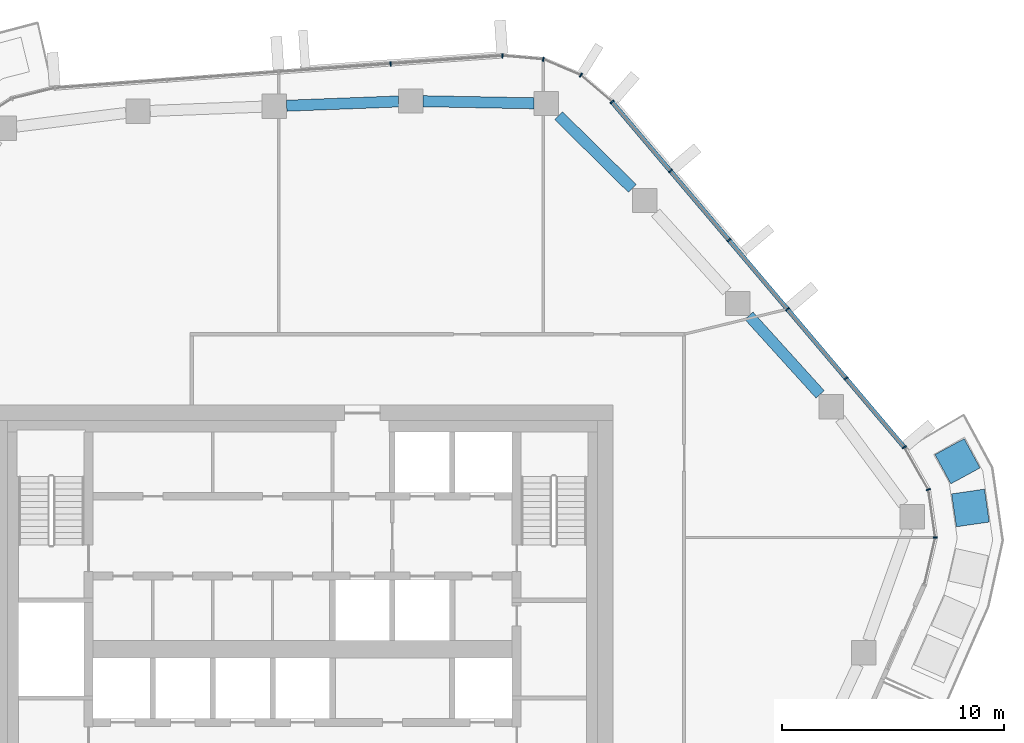
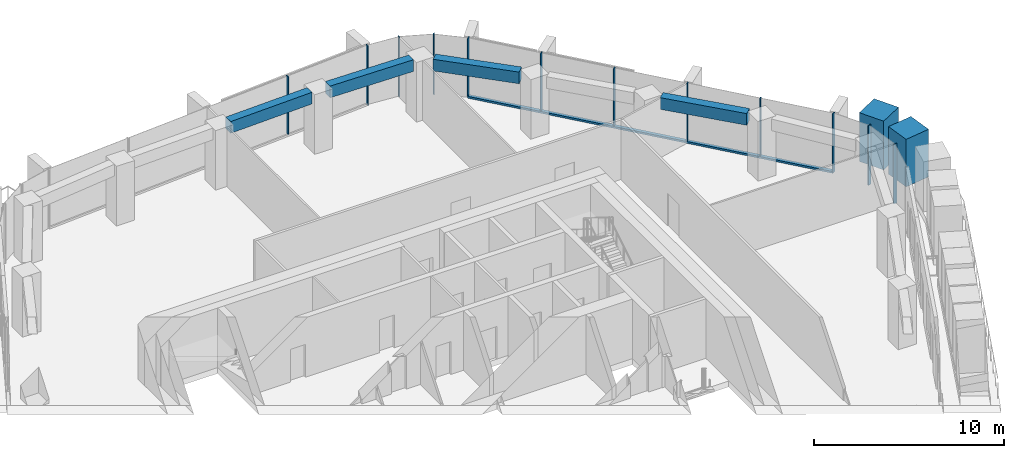
# One storey, part 9 of 21: 15 members, 4 beams, 4 elements without a shape of their own.
"""IFC4 building model written with IfcOpenShell, lengths in metres."""

from ifc_helpers import new_model, si_unit, direction, frame, origin, origin_2d, place, context, subcontext, project, spatial, rectangle, extrude, material, layer, layer_set, material_profile, profile_set, type_object, element, aggregate, save


model = new_model("IFC4")

# Units and contexts
model_context = context("Model", 3, precision=1e-05, world=origin(), true_north=direction((0.0, 1.0)))
body_context = subcontext(model_context, "Body", "Model", "MODEL_VIEW")
ifc_project = project(units=[si_unit("LENGTHUNIT", "METRE"), si_unit("AREAUNIT", "SQUARE_METRE"), si_unit("VOLUMEUNIT", "CUBIC_METRE"), si_unit("PLANEANGLEUNIT", "RADIAN"), si_unit("MASSUNIT", "GRAM", prefix="KILO")], contexts=[model_context])

# Site, building, storey
site_placement = place(None, origin())
site = spatial("IfcSite", under=ifc_project, at=site_placement, CompositionType="ELEMENT")
building_placement = place(site_placement, origin())
building = spatial("IfcBuilding", under=site, at=building_placement, Name="Dongbaek Canopy Tower", CompositionType="ELEMENT")
storey_placement = place(building_placement, frame((0.0, 0.0, 270.60009765625)))
storey = spatial("IfcBuildingStorey", under=building, at=storey_placement, Name="L57", CompositionType="ELEMENT", Elevation=270.60009765625)

# Curtain wall, members
ifc_material_1 = material(Name="Aluminium 6063-T6 pale anodised", Category="aluminium")
ifc_layer = layer(ifc_material_1, 0.199951171875)
ifc_layer_set = layer_set([ifc_layer], Name="CW-1 unitised tower curtain wall")
curtain_wall_type = type_object("IfcCurtainWallType", Name="CW-1 unitised tower curtain wall", PredefinedType="NOTDEFINED", material=ifc_layer_set)
curtain_wall_1_placement = place(storey_placement, origin())
curtain_wall_1 = element("IfcCurtainWall", 1, at=curtain_wall_1_placement, inside=storey, type_object=curtain_wall_type, Name="CW-1 curtain wall K0.1", PredefinedType="NOTDEFINED")
ifc_material_2 = material(Name="Aluminium 6063-T6 pale anodised", Category="aluminium")
ifc_material_profile_1 = material_profile(ifc_material_2, rectangle(XDim=0.199951171875, YDim=0.06005859375, at=origin_2d()), Name="CW-1 mullion 60 x 200")
ifc_profile_set_1 = profile_set([ifc_material_profile_1], Name="Aluminium 6063-T6 pale anodised")
member_type_1 = type_object("IfcMemberType", Name="CW-1 mullion 60 x 200", PredefinedType="MULLION", material=ifc_profile_set_1)
member_1_placement = place(storey_placement, frame((28.5224609375, 5.034423828125, 0.0), z_axis=(0.0, 0.0, 1.0), x_axis=(0.999092622881, -0.042590267718, 0.0)))
member_1 = element("IfcMember", 2, at=member_1_placement, type_object=member_type_1, Name="CW-1 mullion K0.1.2", PredefinedType="MULLION", context=body_context, shape_type="SweptSolid", body=[
    extrude(rectangle(XDim=0.199951171875, YDim=0.06005859375, at=origin_2d()), origin(), (0.0, 0.0, 1.0), 3.81982421875),
])
member_2_placement = place(storey_placement, frame((28.2099609375, 7.196533203125, 0.0), z_axis=(0.0, 0.0, 1.0), x_axis=(0.94607447502, 0.323949205456, 0.0)))
member_2 = element("IfcMember", 3, at=member_2_placement, type_object=member_type_1, Name="CW-1 mullion K0.1.3", PredefinedType="MULLION", context=body_context, shape_type="SweptSolid", body=[
    extrude(rectangle(XDim=0.199951171875, YDim=0.06005859375, at=origin_2d()), origin(), (0.0, 0.0, 1.0), 3.81982421875),
])
member_3_placement = place(storey_placement, frame((27.126953125, 9.1044921875, 0.0), z_axis=(0.0, 0.0, 1.0), x_axis=(0.869724340874, 0.493537811004, 0.0)))
member_3 = element("IfcMember", 4, at=member_3_placement, type_object=member_type_1, Name="CW-1 mullion K0.1.4", PredefinedType="MULLION", context=body_context, shape_type="SweptSolid", body=[
    extrude(rectangle(XDim=0.199951171875, YDim=0.06005859375, at=origin_2d()), origin(), (0.0, 0.0, 1.0), 3.81982421875),
])
aggregate(curtain_wall_1, [member_1, member_2, member_3])

curtain_wall_2_placement = place(storey_placement, origin())
curtain_wall_2 = element("IfcCurtainWall", 5, at=curtain_wall_2_placement, inside=storey, type_object=curtain_wall_type, Name="CW-1 curtain wall F0.1", PredefinedType="NOTDEFINED")
member_4_placement = place(storey_placement, frame((24.49560546875, 12.213623046875, 0.119873046875), z_axis=(0.0, 0.0, 1.0), x_axis=(0.763290756517, 0.646055122273, 0.0)))
member_4 = element("IfcMember", 6, at=member_4_placement, type_object=member_type_1, Name="CW-1 mullion F0.1.2", PredefinedType="MULLION", context=body_context, shape_type="SweptSolid", body=[
    extrude(rectangle(XDim=0.199951171875, YDim=0.06005859375, at=origin_2d()), origin(), (0.0, 0.0, 1.0), 3.699951171875),
])
member_5_placement = place(storey_placement, frame((21.85791015625, 15.329833984375, 0.119873046875), z_axis=(0.0, 0.0, 1.0), x_axis=(0.763290756517, 0.646055122273, 0.0)))
member_5 = element("IfcMember", 7, at=member_5_placement, type_object=member_type_1, Name="CW-1 mullion F0.1.3", PredefinedType="MULLION", context=body_context, shape_type="SweptSolid", body=[
    extrude(rectangle(XDim=0.199951171875, YDim=0.06005859375, at=origin_2d()), origin(), (0.0, 0.0, 1.0), 3.699951171875),
])
member_6_placement = place(storey_placement, frame((19.220458984375, 18.44580078125, 0.119873046875), z_axis=(0.0, 0.0, 1.0), x_axis=(0.763290756517, 0.646055122273, 0.0)))
member_6 = element("IfcMember", 8, at=member_6_placement, type_object=member_type_1, Name="CW-1 mullion F0.1.4", PredefinedType="MULLION", context=body_context, shape_type="SweptSolid", body=[
    extrude(rectangle(XDim=0.199951171875, YDim=0.06005859375, at=origin_2d()), origin(), (0.0, 0.0, 1.0), 3.699951171875),
])
member_7_placement = place(storey_placement, frame((16.5830078125, 21.56201171875, 0.119873046875), z_axis=(0.0, 0.0, 1.0), x_axis=(0.763290756517, 0.646055122273, 0.0)))
member_7 = element("IfcMember", 9, at=member_7_placement, type_object=member_type_1, Name="CW-1 mullion F0.1.5", PredefinedType="MULLION", context=body_context, shape_type="SweptSolid", body=[
    extrude(rectangle(XDim=0.199951171875, YDim=0.06005859375, at=origin_2d()), origin(), (0.0, 0.0, 1.0), 3.699951171875),
])
member_8_placement = place(storey_placement, frame((13.950439453125, 24.672119140625, 0.119873046875), z_axis=(0.0, 0.0, 1.0), x_axis=(0.763290756517, 0.646055122273, 0.0)))
member_8 = element("IfcMember", 10, at=member_8_placement, type_object=member_type_1, Name="CW-1 mullion F0.1.6", PredefinedType="MULLION", context=body_context, shape_type="SweptSolid", body=[
    extrude(rectangle(XDim=0.199951171875, YDim=0.06005859375, at=origin_2d()), origin(), (0.0, 0.0, 1.0), 3.699951171875),
])

curtain_wall_3_placement = place(storey_placement, origin())
curtain_wall_3 = element("IfcCurtainWall", 11, at=curtain_wall_3_placement, inside=storey, type_object=curtain_wall_type, Name="CW-1 curtain wall K1.1", PredefinedType="NOTDEFINED")
member_9_placement = place(storey_placement, frame((12.55029296875, 25.8798828125, 0.0), z_axis=(0.0, 0.0, 1.0), x_axis=(0.526936859296, 0.849904433636, 0.0)))
member_9 = element("IfcMember", 12, at=member_9_placement, type_object=member_type_1, Name="CW-1 mullion K1.1.2", PredefinedType="MULLION", context=body_context, shape_type="SweptSolid", body=[
    extrude(rectangle(XDim=0.199951171875, YDim=0.06005859375, at=origin_2d()), origin(), (0.0, 0.0, 1.0), 3.81982421875),
])
member_10_placement = place(storey_placement, frame((10.853271484375, 26.593994140625, 0.0), z_axis=(0.0, 0.0, 1.0), x_axis=(0.239249981769, 0.970958004356, 0.0)))
member_10 = element("IfcMember", 13, at=member_10_placement, type_object=member_type_1, Name="CW-1 mullion K1.1.3", PredefinedType="MULLION", context=body_context, shape_type="SweptSolid", body=[
    extrude(rectangle(XDim=0.199951171875, YDim=0.06005859375, at=origin_2d()), origin(), (0.0, 0.0, 1.0), 3.81982421875),
])
member_11_placement = place(storey_placement, frame((9.010986328125, 26.750732421875, 0.0), z_axis=(0.0, 0.0, 1.0), x_axis=(0.084791843518, 0.996398686908, 0.0)))
member_11 = element("IfcMember", 14, at=member_11_placement, type_object=member_type_1, Name="CW-1 mullion K1.1.4", PredefinedType="MULLION", context=body_context, shape_type="SweptSolid", body=[
    extrude(rectangle(XDim=0.199951171875, YDim=0.06005859375, at=origin_2d()), origin(), (0.0, 0.0, 1.0), 3.81982421875),
])
aggregate(curtain_wall_3, [member_9, member_10, member_11])

# Curtain wall, member
curtain_wall_4_placement = place(storey_placement, origin())
curtain_wall_4 = element("IfcCurtainWall", 15, at=curtain_wall_4_placement, inside=storey, type_object=curtain_wall_type, Name="CW-1 curtain wall F1.1", PredefinedType="NOTDEFINED")
member_12_placement = place(storey_placement, frame((3.971435546875, 26.38818359375, 0.119873046875), z_axis=(0.0, 0.0, 1.0), x_axis=(-0.07174408026, 0.997423073198, 0.0)))
member_12 = element("IfcMember", 16, at=member_12_placement, type_object=member_type_1, Name="CW-1 mullion F1.1.2", PredefinedType="MULLION", context=body_context, shape_type="SweptSolid", body=[
    extrude(rectangle(XDim=0.199951171875, YDim=0.06005859375, at=origin_2d()), origin(), (0.0, 0.0, 1.0), 3.699951171875),
])
aggregate(curtain_wall_4, [member_12])

# Member
ifc_material_3 = material(Name="Aluminium 6063-T6 pale anodised", Category="aluminium")
ifc_material_profile_2 = material_profile(ifc_material_3, rectangle(XDim=0.199951171875, YDim=0.1201171875, at=origin_2d()), Name="CW-1 transom 120 x 200")
ifc_profile_set_2 = profile_set([ifc_material_profile_2], Name="Aluminium 6063-T6 pale anodised")
member_type_2 = type_object("IfcMemberType", Name="CW-1 transom 120 x 200", PredefinedType="USERDEFINED", material=ifc_profile_set_2)
member_13_placement = place(storey_placement, frame((27.126953125, 9.1044921875, 0.059814453125), z_axis=(-0.646053848117, 0.763291834971, 0.0), x_axis=(-0.763291834971, -0.646053848117, 0.0)))
member_13 = element("IfcMember", 17, at=member_13_placement, type_object=member_type_2, Name="CW-1 transom F0.1.1", ObjectType="TRANSOM", PredefinedType="USERDEFINED", context=body_context, shape_type="SweptSolid", body=[
    extrude(rectangle(XDim=0.199951171875, YDim=0.1201171875, at=origin_2d()), origin(), (0.0, 0.0, 1.0), 20.395263671875),
])

aggregate(curtain_wall_2, [member_4, member_5, member_6, member_7, member_8, member_13])

# Beams
ifc_material_4 = material(Name="Concrete C70", Category="concrete")
ifc_material_profile_3 = material_profile(ifc_material_4, rectangle(XDim=0.5, YDim=0.75, at=origin_2d()), Name="RC EDGE BEAM 500x750 C70")
ifc_profile_set_3 = profile_set([ifc_material_profile_3], Name="Concrete C70")
beam_type = type_object("IfcBeamType", Name="RC EDGE BEAM 500x750 C70", PredefinedType="BEAM", material=ifc_profile_set_3)
beam_1_placement = place(storey_placement, frame((-0.716064453125, 24.5, 3.44482421875), z_axis=(0.999269359521, 0.038219721647, 0.0), x_axis=(-0.038219721647, 0.999269359521, 0.0)))
element("IfcBeam", 18, at=beam_1_placement, inside=storey, type_object=beam_type, Name="EDGEBEAM:L57:15", PredefinedType="BEAM", context=body_context, shape_type="SweptSolid", body=[
    extrude(rectangle(XDim=0.5, YDim=0.75, at=origin_2d()), origin(), (0.0, 0.0, 1.0), 5.052734375),
])
beam_2_placement = place(storey_placement, frame((5.43310546875, 24.70361328125, 3.44482421875), z_axis=(0.999822914654, -0.018818590065, 0.0), x_axis=(0.018818590065, 0.999822914654, 0.0)))
element("IfcBeam", 19, at=beam_2_placement, inside=storey, type_object=beam_type, Name="EDGEBEAM:L57:16", PredefinedType="BEAM", context=body_context, shape_type="SweptSolid", body=[
    extrude(rectangle(XDim=0.5, YDim=0.75, at=origin_2d()), origin(), (0.0, 0.0, 1.0), 5.0078125),
])
beam_3_placement = place(storey_placement, frame((11.5400390625, 24.05615234375, 3.44482421875), z_axis=(0.711738619198, -0.70244440203, 0.0), x_axis=(0.70244440203, 0.711738619198, 0.0)))
element("IfcBeam", 20, at=beam_3_placement, inside=storey, type_object=beam_type, Name="EDGEBEAM:L57:17", PredefinedType="BEAM", context=body_context, shape_type="SweptSolid", body=[
    extrude(rectangle(XDim=0.5, YDim=0.75, at=origin_2d()), origin(), (0.0, 0.0, 1.0), 4.67578125),
])
beam_4_placement = place(storey_placement, frame((20.123046875, 15.033935546875, 3.44482421875), z_axis=(0.671218045362, -0.741259964911, 0.0), x_axis=(0.741259964911, 0.671218045362, 0.0)))
element("IfcBeam", 21, at=beam_4_placement, inside=storey, type_object=beam_type, Name="EDGEBEAM:L57:19", PredefinedType="BEAM", context=body_context, shape_type="SweptSolid", body=[
    extrude(rectangle(XDim=0.5, YDim=0.75, at=origin_2d()), origin(), (0.0, 0.0, 1.0), 4.7822265625),
])

# Members
ifc_material_5 = material(Name="Concrete C40/50 planter mass with planting", Category="concrete")
ifc_material_profile_4 = material_profile(ifc_material_5, rectangle(XDim=1.5, YDim=1.5, at=origin_2d()), Name="Terrace PLANTER shrub mass 1500 x 1500")
ifc_profile_set_4 = profile_set([ifc_material_profile_4], Name="Concrete C40/50 planter mass with planting")
member_type_3 = type_object("IfcMemberType", Name="Terrace PLANTER shrub mass 1500 x 1500", PredefinedType="USERDEFINED", material=ifc_profile_set_4)
member_14_placement = place(storey_placement, frame((30.10888671875, 6.367431640625, 0.419921875), z_axis=(0.0, 0.0, 1.0), x_axis=(0.989700235444, 0.143155314124, 0.0)))
element("IfcMember", 22, at=member_14_placement, inside=storey, type_object=member_type_3, Name="Planter shrubs L57 4.4", ObjectType="PLANTER", PredefinedType="USERDEFINED", context=body_context, shape_type="SweptSolid", body=[
    extrude(rectangle(XDim=1.5, YDim=1.5, at=origin_2d()), origin(), (0.0, 0.0, 1.0), 3.050048828125),
])
member_15_placement = place(storey_placement, frame((29.526611328125, 8.473388671875, 0.419921875), z_axis=(0.0, 0.0, 1.0), x_axis=(0.878675648079, 0.477419213556, 0.0)))
element("IfcMember", 23, at=member_15_placement, inside=storey, type_object=member_type_3, Name="Planter shrubs L57 4.5", ObjectType="PLANTER", PredefinedType="USERDEFINED", context=body_context, shape_type="SweptSolid", body=[
    extrude(rectangle(XDim=1.5, YDim=1.5, at=origin_2d()), origin(), (0.0, 0.0, 1.0), 3.1298828125),
])

save(model, "model.ifc")
